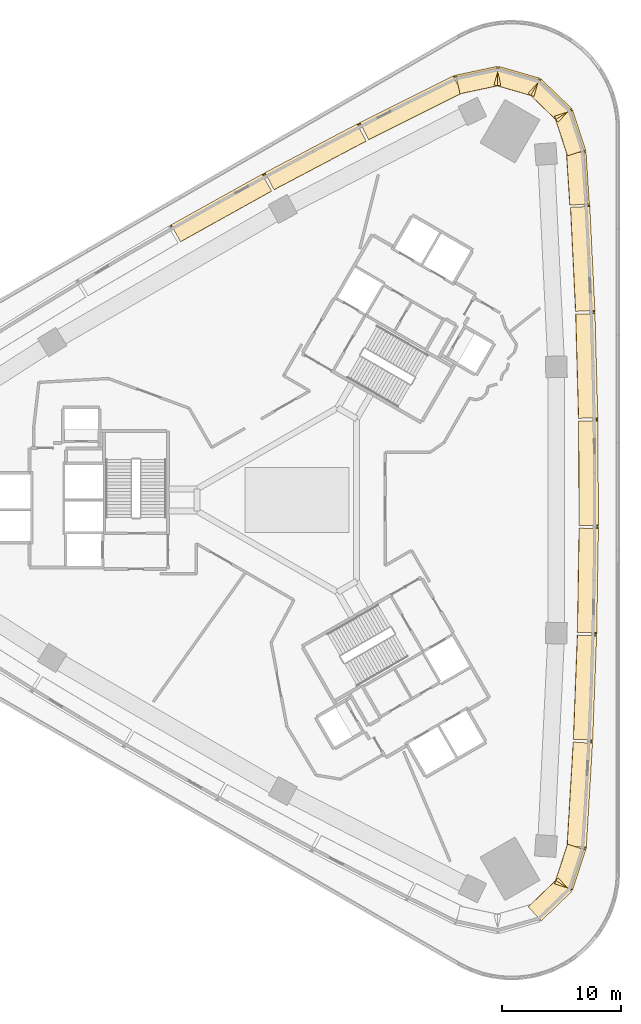
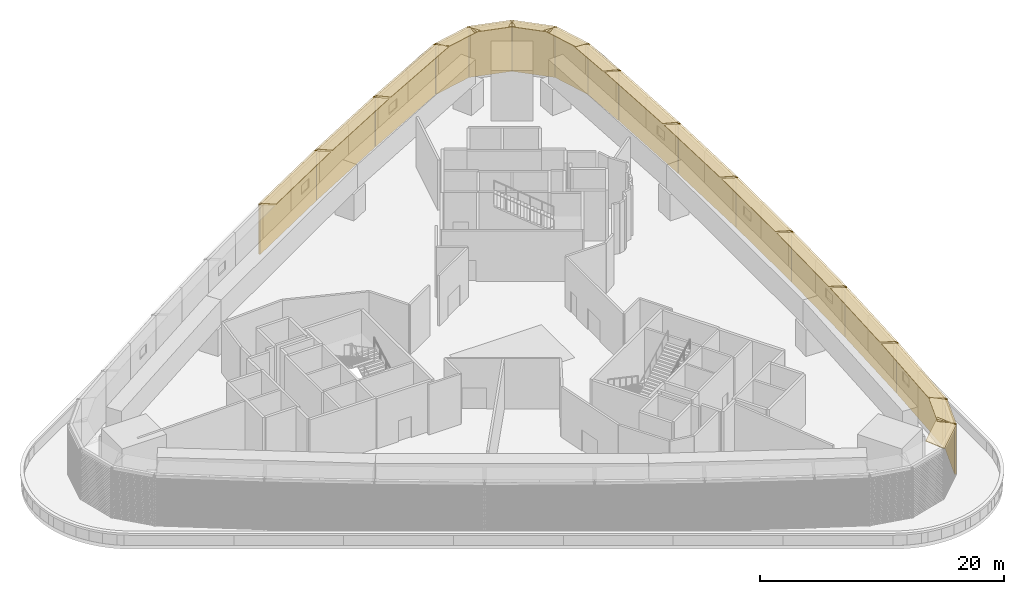
# One storey, part 11 of 11: 31 coverings.
"""IFC4 building model written with IfcOpenShell, lengths in metres."""

from ifc_helpers import new_model, si_unit, direction, frame, frame_2d, origin, place, context, subcontext, project, spatial, rectangle, extrude, source, transform, mapped, material, layer, layer_set, type_object, element, save


model = new_model("IFC4")

# Units and contexts
model_context = context("Model", 3, precision=1e-05, world=origin(), true_north=direction((0.0, 1.0)))
body_context = subcontext(model_context, "Body", "Model", "MODEL_VIEW")
ifc_project = project(units=[si_unit("LENGTHUNIT", "METRE"), si_unit("AREAUNIT", "SQUARE_METRE"), si_unit("VOLUMEUNIT", "CUBIC_METRE"), si_unit("PLANEANGLEUNIT", "RADIAN"), si_unit("MASSUNIT", "GRAM", prefix="KILO")], contexts=[model_context])

# Site, building, storey
site_placement = place(None, origin())
site = spatial("IfcSite", under=ifc_project, at=site_placement, CompositionType="ELEMENT")
building_placement = place(site_placement, origin())
building = spatial("IfcBuilding", under=site, at=building_placement, Name="Tamra Quay Hotel Tower", CompositionType="ELEMENT")
storey_placement = place(building_placement, frame((0.0, 0.0, 29.5)))
storey = spatial("IfcBuildingStorey", under=building, at=storey_placement, Name="L05", CompositionType="ELEMENT", Elevation=29.5)

# Coverings
ifc_material_1 = material(Name="Terracotta louvre panel", Category="masonry")
covering_type_1 = type_object("IfcCoveringType", Name="PLANT LOUVRE H5025", PredefinedType="USERDEFINED", material=ifc_material_1)
shared_shape_1 = source(origin(), body_context, "Body", "SweptSolid", [
    extrude(rectangle(XDim=8.97998046875, YDim=0.030029296875, at=frame_2d((4.489990234375, 0.01513671875))), frame((-4.489990234375, -0.030029296875, 0.0)), (0.0, 0.0, 1.0), 5.02490234375),
    extrude(rectangle(XDim=0.050048828125, YDim=0.139892578125, at=frame_2d((0.02490234375, 0.06982421875))), frame((-4.489990234375, -0.169921875, 0.0)), (0.0, 0.0, 1.0), 5.02490234375),
    extrude(rectangle(XDim=0.050048828125, YDim=0.139892578125, at=frame_2d((0.02490234375, 0.06982421875))), frame((4.43994140625, -0.169921875, 0.0)), (0.0, 0.0, 1.0), 5.02490234375),
    extrude(rectangle(XDim=8.8798828125, YDim=0.139892578125, at=frame_2d((4.43994140625, 0.06982421875))), frame((-4.43994140625, -0.169921875, 0.050048828125)), (0.0, 0.0, 1.0), 0.034912109375),
    extrude(rectangle(XDim=8.8798828125, YDim=0.139892578125, at=frame_2d((4.43994140625, 0.06982421875))), frame((-4.43994140625, -0.169921875, 0.2099609375)), (0.0, 0.0, 1.0), 0.034912109375),
    extrude(rectangle(XDim=8.8798828125, YDim=0.139892578125, at=frame_2d((4.43994140625, 0.06982421875))), frame((-4.43994140625, -0.169921875, 0.3701171875)), (0.0, 0.0, 1.0), 0.034912109375),
    extrude(rectangle(XDim=8.8798828125, YDim=0.139892578125, at=frame_2d((4.43994140625, 0.06982421875))), frame((-4.43994140625, -0.169921875, 0.530029296875)), (0.0, 0.0, 1.0), 0.034912109375),
    extrude(rectangle(XDim=8.8798828125, YDim=0.139892578125, at=frame_2d((4.43994140625, 0.06982421875))), frame((-4.43994140625, -0.169921875, 0.68994140625)), (0.0, 0.0, 1.0), 0.034912109375),
    extrude(rectangle(XDim=8.8798828125, YDim=0.139892578125, at=frame_2d((4.43994140625, 0.06982421875))), frame((-4.43994140625, -0.169921875, 0.85009765625)), (0.0, 0.0, 1.0), 0.034912109375),
    extrude(rectangle(XDim=8.8798828125, YDim=0.139892578125, at=frame_2d((4.43994140625, 0.06982421875))), frame((-4.43994140625, -0.169921875, 1.010009765625)), (0.0, 0.0, 1.0), 0.034912109375),
    extrude(rectangle(XDim=8.8798828125, YDim=0.139892578125, at=frame_2d((4.43994140625, 0.06982421875))), frame((-4.43994140625, -0.169921875, 1.169921875)), (0.0, 0.0, 1.0), 0.034912109375),
    extrude(rectangle(XDim=8.8798828125, YDim=0.139892578125, at=frame_2d((4.43994140625, 0.06982421875))), frame((-4.43994140625, -0.169921875, 1.330078125)), (0.0, 0.0, 1.0), 0.034912109375),
    extrude(rectangle(XDim=8.8798828125, YDim=0.139892578125, at=frame_2d((4.43994140625, 0.06982421875))), frame((-4.43994140625, -0.169921875, 1.489990234375)), (0.0, 0.0, 1.0), 0.034912109375),
    extrude(rectangle(XDim=8.8798828125, YDim=0.139892578125, at=frame_2d((4.43994140625, 0.06982421875))), frame((-4.43994140625, -0.169921875, 1.64990234375)), (0.0, 0.0, 1.0), 0.034912109375),
    extrude(rectangle(XDim=8.8798828125, YDim=0.139892578125, at=frame_2d((4.43994140625, 0.06982421875))), frame((-4.43994140625, -0.169921875, 1.81005859375)), (0.0, 0.0, 1.0), 0.034912109375),
    extrude(rectangle(XDim=8.8798828125, YDim=0.139892578125, at=frame_2d((4.43994140625, 0.06982421875))), frame((-4.43994140625, -0.169921875, 1.969970703125)), (0.0, 0.0, 1.0), 0.034912109375),
    extrude(rectangle(XDim=8.8798828125, YDim=0.139892578125, at=frame_2d((4.43994140625, 0.06982421875))), frame((-4.43994140625, -0.169921875, 2.1298828125)), (0.0, 0.0, 1.0), 0.034912109375),
    extrude(rectangle(XDim=8.8798828125, YDim=0.139892578125, at=frame_2d((4.43994140625, 0.06982421875))), frame((-4.43994140625, -0.169921875, 2.2900390625)), (0.0, 0.0, 1.0), 0.034912109375),
    extrude(rectangle(XDim=8.8798828125, YDim=0.139892578125, at=frame_2d((4.43994140625, 0.06982421875))), frame((-4.43994140625, -0.169921875, 2.449951171875)), (0.0, 0.0, 1.0), 0.034912109375),
    extrude(rectangle(XDim=8.8798828125, YDim=0.139892578125, at=frame_2d((4.43994140625, 0.06982421875))), frame((-4.43994140625, -0.169921875, 2.610107421875)), (0.0, 0.0, 1.0), 0.034912109375),
    extrude(rectangle(XDim=8.8798828125, YDim=0.139892578125, at=frame_2d((4.43994140625, 0.06982421875))), frame((-4.43994140625, -0.169921875, 2.77001953125)), (0.0, 0.0, 1.0), 0.034912109375),
    extrude(rectangle(XDim=8.8798828125, YDim=0.139892578125, at=frame_2d((4.43994140625, 0.06982421875))), frame((-4.43994140625, -0.169921875, 2.929931640625)), (0.0, 0.0, 1.0), 0.034912109375),
    extrude(rectangle(XDim=8.8798828125, YDim=0.139892578125, at=frame_2d((4.43994140625, 0.06982421875))), frame((-4.43994140625, -0.169921875, 3.090087890625)), (0.0, 0.0, 1.0), 0.034912109375),
    extrude(rectangle(XDim=8.8798828125, YDim=0.139892578125, at=frame_2d((4.43994140625, 0.06982421875))), frame((-4.43994140625, -0.169921875, 3.25)), (0.0, 0.0, 1.0), 0.034912109375),
    extrude(rectangle(XDim=8.8798828125, YDim=0.139892578125, at=frame_2d((4.43994140625, 0.06982421875))), frame((-4.43994140625, -0.169921875, 3.409912109375)), (0.0, 0.0, 1.0), 0.034912109375),
    extrude(rectangle(XDim=8.8798828125, YDim=0.139892578125, at=frame_2d((4.43994140625, 0.06982421875))), frame((-4.43994140625, -0.169921875, 3.570068359375)), (0.0, 0.0, 1.0), 0.034912109375),
    extrude(rectangle(XDim=8.8798828125, YDim=0.139892578125, at=frame_2d((4.43994140625, 0.06982421875))), frame((-4.43994140625, -0.169921875, 3.72998046875)), (0.0, 0.0, 1.0), 0.034912109375),
    extrude(rectangle(XDim=8.8798828125, YDim=0.139892578125, at=frame_2d((4.43994140625, 0.06982421875))), frame((-4.43994140625, -0.169921875, 3.889892578125)), (0.0, 0.0, 1.0), 0.034912109375),
    extrude(rectangle(XDim=8.8798828125, YDim=0.139892578125, at=frame_2d((4.43994140625, 0.06982421875))), frame((-4.43994140625, -0.169921875, 4.050048828125)), (0.0, 0.0, 1.0), 0.034912109375),
    extrude(rectangle(XDim=8.8798828125, YDim=0.139892578125, at=frame_2d((4.43994140625, 0.06982421875))), frame((-4.43994140625, -0.169921875, 4.2099609375)), (0.0, 0.0, 1.0), 0.034912109375),
    extrude(rectangle(XDim=8.8798828125, YDim=0.139892578125, at=frame_2d((4.43994140625, 0.06982421875))), frame((-4.43994140625, -0.169921875, 4.3701171875)), (0.0, 0.0, 1.0), 0.034912109375),
    extrude(rectangle(XDim=8.8798828125, YDim=0.139892578125, at=frame_2d((4.43994140625, 0.06982421875))), frame((-4.43994140625, -0.169921875, 4.530029296875)), (0.0, 0.0, 1.0), 0.034912109375),
    extrude(rectangle(XDim=8.8798828125, YDim=0.139892578125, at=frame_2d((4.43994140625, 0.06982421875))), frame((-4.43994140625, -0.169921875, 4.68994140625)), (0.0, 0.0, 1.0), 0.034912109375),
])
for number, where, z_axis, x_axis, name in (
    (1, (24.363037109375, -24.761962890625, 0.0), (0.0, 0.0, 1.0), (0.05943643102, 0.998232092586, 0.0), "Plant louvre L05.E.f00"),
    (2, (24.801513671875, -15.763671875, 0.0), (0.0, 0.0, 1.0), (0.037880563582, 0.999282273886, 0.0), "Plant louvre L05.E.f02"),
    (3, (25.04541015625, -6.75732421875, 0.0), (0.0, 0.0, 1.0), (0.016247883559, 0.999867994427, 0.0), "Plant louvre L05.E.f04"),
    (4, (25.09423828125, 2.252197265625, 0.0), (0.0, 0.0, 1.0), (-0.005417775167, 0.999985323748, 0.0), "Plant louvre L05.E.f06"),
    (5, (24.947998046875, 11.260498046875, 0.0), (0.0, 0.0, 1.0), (-0.027065152006, 0.999633671675, 0.0), "Plant louvre L05.E.f08"),
    (6, (24.606689453125, 20.2646484375, 0.0), (0.0, 0.0, 1.0), (-0.048675614115, 0.998814639756, 0.0), "Plant louvre L05.E.f10"),
    (7, (9.262939453125, 33.47998046875, 0.0), (0.0, 0.0, 1.0), (-0.894212566562, -0.44764258712, 0.0), "Plant louvre L05.NW.f00"),
    (8, (1.2509765625, 29.360595703125, 0.0), (0.0, 0.0, 1.0), (-0.884344116528, -0.466835606571, 0.0), "Plant louvre L05.NW.f02"),
    (9, (-6.670654296875, 25.068603515625, 0.0), (0.0, 0.0, 1.0), (-0.874035025385, -0.485862917294, 0.0), "Plant louvre L05.NW.f04"),
):
    element("IfcCovering", number, at=place(storey_placement, frame(where, z_axis=z_axis, x_axis=x_axis)), inside=storey, type_object=covering_type_1, Name=name, ObjectType="LOUVER", PredefinedType="USERDEFINED", context=body_context, shape_type="MappedRepresentation", body=[
        mapped(shared_shape_1, transform((0.0, 0.0, 0.0), scale=1.0)),
    ])
shared_shape_2 = source(origin(), body_context, "Body", "SweptSolid", [
    extrude(rectangle(XDim=4.47998046875, YDim=0.030029296875, at=frame_2d((2.239990234375, 0.01513671875))), frame((-2.239990234375, -0.030029296875, 0.0)), (0.0, 0.0, 1.0), 5.02490234375),
    extrude(rectangle(XDim=0.050048828125, YDim=0.139892578125, at=frame_2d((0.02490234375, 0.06982421875))), frame((-2.239990234375, -0.169921875, 0.0)), (0.0, 0.0, 1.0), 5.02490234375),
    extrude(rectangle(XDim=0.050048828125, YDim=0.139892578125, at=frame_2d((0.02490234375, 0.06982421875))), frame((2.18994140625, -0.169921875, 0.0)), (0.0, 0.0, 1.0), 5.02490234375),
    extrude(rectangle(XDim=4.3798828125, YDim=0.139892578125, at=frame_2d((2.18994140625, 0.06982421875))), frame((-2.18994140625, -0.169921875, 0.050048828125)), (0.0, 0.0, 1.0), 0.034912109375),
    extrude(rectangle(XDim=4.3798828125, YDim=0.139892578125, at=frame_2d((2.18994140625, 0.06982421875))), frame((-2.18994140625, -0.169921875, 0.2099609375)), (0.0, 0.0, 1.0), 0.034912109375),
    extrude(rectangle(XDim=4.3798828125, YDim=0.139892578125, at=frame_2d((2.18994140625, 0.06982421875))), frame((-2.18994140625, -0.169921875, 0.3701171875)), (0.0, 0.0, 1.0), 0.034912109375),
    extrude(rectangle(XDim=4.3798828125, YDim=0.139892578125, at=frame_2d((2.18994140625, 0.06982421875))), frame((-2.18994140625, -0.169921875, 0.530029296875)), (0.0, 0.0, 1.0), 0.034912109375),
    extrude(rectangle(XDim=4.3798828125, YDim=0.139892578125, at=frame_2d((2.18994140625, 0.06982421875))), frame((-2.18994140625, -0.169921875, 0.68994140625)), (0.0, 0.0, 1.0), 0.034912109375),
    extrude(rectangle(XDim=4.3798828125, YDim=0.139892578125, at=frame_2d((2.18994140625, 0.06982421875))), frame((-2.18994140625, -0.169921875, 0.85009765625)), (0.0, 0.0, 1.0), 0.034912109375),
    extrude(rectangle(XDim=4.3798828125, YDim=0.139892578125, at=frame_2d((2.18994140625, 0.06982421875))), frame((-2.18994140625, -0.169921875, 1.010009765625)), (0.0, 0.0, 1.0), 0.034912109375),
    extrude(rectangle(XDim=4.3798828125, YDim=0.139892578125, at=frame_2d((2.18994140625, 0.06982421875))), frame((-2.18994140625, -0.169921875, 1.169921875)), (0.0, 0.0, 1.0), 0.034912109375),
    extrude(rectangle(XDim=4.3798828125, YDim=0.139892578125, at=frame_2d((2.18994140625, 0.06982421875))), frame((-2.18994140625, -0.169921875, 1.330078125)), (0.0, 0.0, 1.0), 0.034912109375),
    extrude(rectangle(XDim=4.3798828125, YDim=0.139892578125, at=frame_2d((2.18994140625, 0.06982421875))), frame((-2.18994140625, -0.169921875, 1.489990234375)), (0.0, 0.0, 1.0), 0.034912109375),
    extrude(rectangle(XDim=4.3798828125, YDim=0.139892578125, at=frame_2d((2.18994140625, 0.06982421875))), frame((-2.18994140625, -0.169921875, 1.64990234375)), (0.0, 0.0, 1.0), 0.034912109375),
    extrude(rectangle(XDim=4.3798828125, YDim=0.139892578125, at=frame_2d((2.18994140625, 0.06982421875))), frame((-2.18994140625, -0.169921875, 1.81005859375)), (0.0, 0.0, 1.0), 0.034912109375),
    extrude(rectangle(XDim=4.3798828125, YDim=0.139892578125, at=frame_2d((2.18994140625, 0.06982421875))), frame((-2.18994140625, -0.169921875, 1.969970703125)), (0.0, 0.0, 1.0), 0.034912109375),
    extrude(rectangle(XDim=4.3798828125, YDim=0.139892578125, at=frame_2d((2.18994140625, 0.06982421875))), frame((-2.18994140625, -0.169921875, 2.1298828125)), (0.0, 0.0, 1.0), 0.034912109375),
    extrude(rectangle(XDim=4.3798828125, YDim=0.139892578125, at=frame_2d((2.18994140625, 0.06982421875))), frame((-2.18994140625, -0.169921875, 2.2900390625)), (0.0, 0.0, 1.0), 0.034912109375),
    extrude(rectangle(XDim=4.3798828125, YDim=0.139892578125, at=frame_2d((2.18994140625, 0.06982421875))), frame((-2.18994140625, -0.169921875, 2.449951171875)), (0.0, 0.0, 1.0), 0.034912109375),
    extrude(rectangle(XDim=4.3798828125, YDim=0.139892578125, at=frame_2d((2.18994140625, 0.06982421875))), frame((-2.18994140625, -0.169921875, 2.610107421875)), (0.0, 0.0, 1.0), 0.034912109375),
    extrude(rectangle(XDim=4.3798828125, YDim=0.139892578125, at=frame_2d((2.18994140625, 0.06982421875))), frame((-2.18994140625, -0.169921875, 2.77001953125)), (0.0, 0.0, 1.0), 0.034912109375),
    extrude(rectangle(XDim=4.3798828125, YDim=0.139892578125, at=frame_2d((2.18994140625, 0.06982421875))), frame((-2.18994140625, -0.169921875, 2.929931640625)), (0.0, 0.0, 1.0), 0.034912109375),
    extrude(rectangle(XDim=4.3798828125, YDim=0.139892578125, at=frame_2d((2.18994140625, 0.06982421875))), frame((-2.18994140625, -0.169921875, 3.090087890625)), (0.0, 0.0, 1.0), 0.034912109375),
    extrude(rectangle(XDim=4.3798828125, YDim=0.139892578125, at=frame_2d((2.18994140625, 0.06982421875))), frame((-2.18994140625, -0.169921875, 3.25)), (0.0, 0.0, 1.0), 0.034912109375),
    extrude(rectangle(XDim=4.3798828125, YDim=0.139892578125, at=frame_2d((2.18994140625, 0.06982421875))), frame((-2.18994140625, -0.169921875, 3.409912109375)), (0.0, 0.0, 1.0), 0.034912109375),
    extrude(rectangle(XDim=4.3798828125, YDim=0.139892578125, at=frame_2d((2.18994140625, 0.06982421875))), frame((-2.18994140625, -0.169921875, 3.570068359375)), (0.0, 0.0, 1.0), 0.034912109375),
    extrude(rectangle(XDim=4.3798828125, YDim=0.139892578125, at=frame_2d((2.18994140625, 0.06982421875))), frame((-2.18994140625, -0.169921875, 3.72998046875)), (0.0, 0.0, 1.0), 0.034912109375),
    extrude(rectangle(XDim=4.3798828125, YDim=0.139892578125, at=frame_2d((2.18994140625, 0.06982421875))), frame((-2.18994140625, -0.169921875, 3.889892578125)), (0.0, 0.0, 1.0), 0.034912109375),
    extrude(rectangle(XDim=4.3798828125, YDim=0.139892578125, at=frame_2d((2.18994140625, 0.06982421875))), frame((-2.18994140625, -0.169921875, 4.050048828125)), (0.0, 0.0, 1.0), 0.034912109375),
    extrude(rectangle(XDim=4.3798828125, YDim=0.139892578125, at=frame_2d((2.18994140625, 0.06982421875))), frame((-2.18994140625, -0.169921875, 4.2099609375)), (0.0, 0.0, 1.0), 0.034912109375),
    extrude(rectangle(XDim=4.3798828125, YDim=0.139892578125, at=frame_2d((2.18994140625, 0.06982421875))), frame((-2.18994140625, -0.169921875, 4.3701171875)), (0.0, 0.0, 1.0), 0.034912109375),
    extrude(rectangle(XDim=4.3798828125, YDim=0.139892578125, at=frame_2d((2.18994140625, 0.06982421875))), frame((-2.18994140625, -0.169921875, 4.530029296875)), (0.0, 0.0, 1.0), 0.034912109375),
    extrude(rectangle(XDim=4.3798828125, YDim=0.139892578125, at=frame_2d((2.18994140625, 0.06982421875))), frame((-2.18994140625, -0.169921875, 4.68994140625)), (0.0, 0.0, 1.0), 0.034912109375),
])
covering_1_placement = place(storey_placement, frame((24.217041015625, 27.01025390625, 0.0), z_axis=(0.0, 0.0, 1.0), x_axis=(-0.064813021819, 0.997897425692, 0.0)))
element("IfcCovering", 10, at=covering_1_placement, inside=storey, type_object=covering_type_1, Name="Plant louvre L05.E.f12", ObjectType="LOUVER", PredefinedType="USERDEFINED", context=body_context, shape_type="MappedRepresentation", body=[
    mapped(shared_shape_2, transform((0.0, 0.0, 0.0), scale=1.0)),
])
shared_shape_3 = source(origin(), body_context, "Body", "SweptSolid", [
    extrude(rectangle(XDim=3.60009765625, YDim=0.030029296875, at=frame_2d((1.800048828125, 0.01513671875))), frame((-1.800048828125, -0.030029296875, 0.0)), (0.0, 0.0, 1.0), 5.02490234375),
    extrude(rectangle(XDim=0.050048828125, YDim=0.139892578125, at=frame_2d((0.02490234375, 0.06982421875))), frame((-1.800048828125, -0.169921875, 0.0)), (0.0, 0.0, 1.0), 5.02490234375),
    extrude(rectangle(XDim=0.050048828125, YDim=0.139892578125, at=frame_2d((0.02490234375, 0.06982421875))), frame((1.75, -0.169921875, 0.0)), (0.0, 0.0, 1.0), 5.02490234375),
    extrude(rectangle(XDim=3.5, YDim=0.139892578125, at=frame_2d((1.75, 0.06982421875))), frame((-1.75, -0.169921875, 0.050048828125)), (0.0, 0.0, 1.0), 0.034912109375),
    extrude(rectangle(XDim=3.5, YDim=0.139892578125, at=frame_2d((1.75, 0.06982421875))), frame((-1.75, -0.169921875, 0.2099609375)), (0.0, 0.0, 1.0), 0.034912109375),
    extrude(rectangle(XDim=3.5, YDim=0.139892578125, at=frame_2d((1.75, 0.06982421875))), frame((-1.75, -0.169921875, 0.3701171875)), (0.0, 0.0, 1.0), 0.034912109375),
    extrude(rectangle(XDim=3.5, YDim=0.139892578125, at=frame_2d((1.75, 0.06982421875))), frame((-1.75, -0.169921875, 0.530029296875)), (0.0, 0.0, 1.0), 0.034912109375),
    extrude(rectangle(XDim=3.5, YDim=0.139892578125, at=frame_2d((1.75, 0.06982421875))), frame((-1.75, -0.169921875, 0.68994140625)), (0.0, 0.0, 1.0), 0.034912109375),
    extrude(rectangle(XDim=3.5, YDim=0.139892578125, at=frame_2d((1.75, 0.06982421875))), frame((-1.75, -0.169921875, 0.85009765625)), (0.0, 0.0, 1.0), 0.034912109375),
    extrude(rectangle(XDim=3.5, YDim=0.139892578125, at=frame_2d((1.75, 0.06982421875))), frame((-1.75, -0.169921875, 1.010009765625)), (0.0, 0.0, 1.0), 0.034912109375),
    extrude(rectangle(XDim=3.5, YDim=0.139892578125, at=frame_2d((1.75, 0.06982421875))), frame((-1.75, -0.169921875, 1.169921875)), (0.0, 0.0, 1.0), 0.034912109375),
    extrude(rectangle(XDim=3.5, YDim=0.139892578125, at=frame_2d((1.75, 0.06982421875))), frame((-1.75, -0.169921875, 1.330078125)), (0.0, 0.0, 1.0), 0.034912109375),
    extrude(rectangle(XDim=3.5, YDim=0.139892578125, at=frame_2d((1.75, 0.06982421875))), frame((-1.75, -0.169921875, 1.489990234375)), (0.0, 0.0, 1.0), 0.034912109375),
    extrude(rectangle(XDim=3.5, YDim=0.139892578125, at=frame_2d((1.75, 0.06982421875))), frame((-1.75, -0.169921875, 1.64990234375)), (0.0, 0.0, 1.0), 0.034912109375),
    extrude(rectangle(XDim=3.5, YDim=0.139892578125, at=frame_2d((1.75, 0.06982421875))), frame((-1.75, -0.169921875, 1.81005859375)), (0.0, 0.0, 1.0), 0.034912109375),
    extrude(rectangle(XDim=3.5, YDim=0.139892578125, at=frame_2d((1.75, 0.06982421875))), frame((-1.75, -0.169921875, 1.969970703125)), (0.0, 0.0, 1.0), 0.034912109375),
    extrude(rectangle(XDim=3.5, YDim=0.139892578125, at=frame_2d((1.75, 0.06982421875))), frame((-1.75, -0.169921875, 2.1298828125)), (0.0, 0.0, 1.0), 0.034912109375),
    extrude(rectangle(XDim=3.5, YDim=0.139892578125, at=frame_2d((1.75, 0.06982421875))), frame((-1.75, -0.169921875, 2.2900390625)), (0.0, 0.0, 1.0), 0.034912109375),
    extrude(rectangle(XDim=3.5, YDim=0.139892578125, at=frame_2d((1.75, 0.06982421875))), frame((-1.75, -0.169921875, 2.449951171875)), (0.0, 0.0, 1.0), 0.034912109375),
    extrude(rectangle(XDim=3.5, YDim=0.139892578125, at=frame_2d((1.75, 0.06982421875))), frame((-1.75, -0.169921875, 2.610107421875)), (0.0, 0.0, 1.0), 0.034912109375),
    extrude(rectangle(XDim=3.5, YDim=0.139892578125, at=frame_2d((1.75, 0.06982421875))), frame((-1.75, -0.169921875, 2.77001953125)), (0.0, 0.0, 1.0), 0.034912109375),
    extrude(rectangle(XDim=3.5, YDim=0.139892578125, at=frame_2d((1.75, 0.06982421875))), frame((-1.75, -0.169921875, 2.929931640625)), (0.0, 0.0, 1.0), 0.034912109375),
    extrude(rectangle(XDim=3.5, YDim=0.139892578125, at=frame_2d((1.75, 0.06982421875))), frame((-1.75, -0.169921875, 3.090087890625)), (0.0, 0.0, 1.0), 0.034912109375),
    extrude(rectangle(XDim=3.5, YDim=0.139892578125, at=frame_2d((1.75, 0.06982421875))), frame((-1.75, -0.169921875, 3.25)), (0.0, 0.0, 1.0), 0.034912109375),
    extrude(rectangle(XDim=3.5, YDim=0.139892578125, at=frame_2d((1.75, 0.06982421875))), frame((-1.75, -0.169921875, 3.409912109375)), (0.0, 0.0, 1.0), 0.034912109375),
    extrude(rectangle(XDim=3.5, YDim=0.139892578125, at=frame_2d((1.75, 0.06982421875))), frame((-1.75, -0.169921875, 3.570068359375)), (0.0, 0.0, 1.0), 0.034912109375),
    extrude(rectangle(XDim=3.5, YDim=0.139892578125, at=frame_2d((1.75, 0.06982421875))), frame((-1.75, -0.169921875, 3.72998046875)), (0.0, 0.0, 1.0), 0.034912109375),
    extrude(rectangle(XDim=3.5, YDim=0.139892578125, at=frame_2d((1.75, 0.06982421875))), frame((-1.75, -0.169921875, 3.889892578125)), (0.0, 0.0, 1.0), 0.034912109375),
    extrude(rectangle(XDim=3.5, YDim=0.139892578125, at=frame_2d((1.75, 0.06982421875))), frame((-1.75, -0.169921875, 4.050048828125)), (0.0, 0.0, 1.0), 0.034912109375),
    extrude(rectangle(XDim=3.5, YDim=0.139892578125, at=frame_2d((1.75, 0.06982421875))), frame((-1.75, -0.169921875, 4.2099609375)), (0.0, 0.0, 1.0), 0.034912109375),
    extrude(rectangle(XDim=3.5, YDim=0.139892578125, at=frame_2d((1.75, 0.06982421875))), frame((-1.75, -0.169921875, 4.3701171875)), (0.0, 0.0, 1.0), 0.034912109375),
    extrude(rectangle(XDim=3.5, YDim=0.139892578125, at=frame_2d((1.75, 0.06982421875))), frame((-1.75, -0.169921875, 4.530029296875)), (0.0, 0.0, 1.0), 0.034912109375),
    extrude(rectangle(XDim=3.5, YDim=0.139892578125, at=frame_2d((1.75, 0.06982421875))), frame((-1.75, -0.169921875, 4.68994140625)), (0.0, 0.0, 1.0), 0.034912109375),
])
for number, where, z_axis, x_axis, name in (
    (11, (23.510498046875, 30.982666015625, 0.0), (0.0, 0.0, 1.0), (-0.309040551826, 0.951048861693, 0.0), "Plant louvre L05.E.c00"),
    (12, (21.64453125, 33.968505859375, 0.0), (0.0, 0.0, 1.0), (-0.719345535851, 0.694652431113, 0.0), "Plant louvre L05.E.c01"),
    (13, (18.595458984375, 35.72900390625, 0.0), (0.0, 0.0, 1.0), (-0.96125942007, 0.275645292589, 0.0), "Plant louvre L05.E.c02"),
    (14, (15.07666015625, 35.85205078125, 0.0), (0.0, 0.0, 1.0), (-0.978152750379, -0.207887462165, 0.0), "Plant louvre L05.E.c03"),
    (15, (23.510498046875, -30.982666015625, 0.0), (0.0, 0.0, 1.0), (0.309040551826, 0.951048861693, 0.0), "Plant louvre L05.SW.c03"),
):
    element("IfcCovering", number, at=place(storey_placement, frame(where, z_axis=z_axis, x_axis=x_axis)), inside=storey, type_object=covering_type_1, Name=name, ObjectType="LOUVER", PredefinedType="USERDEFINED", context=body_context, shape_type="MappedRepresentation", body=[
        mapped(shared_shape_3, transform((0.0, 0.0, 0.0), scale=1.0)),
    ])
ifc_material_2 = material(Name="Precast concrete M60 terracotta-coloured pierced relief", Category="masonry")
ifc_layer = layer(ifc_material_2, 0.06005859375)
ifc_layer_set = layer_set([ifc_layer], Name="RAKED RELIEF CAP 60")
covering_type_2 = type_object("IfcCoveringType", Name="RAKED RELIEF CAP 60", PredefinedType="CLADDING", material=ifc_layer_set)
shared_shape_4 = source(origin(), body_context, "Body", "SweptSolid", [
    extrude(rectangle(XDim=8.739990234375, YDim=1.68994140625, at=frame_2d((4.3701171875, 0.844970703125))), frame((-4.3701171875, 0.0, -0.06005859375)), (0.0, 0.0, 1.0), 0.06005859375),
])
for number, where, z_axis, x_axis, name in (
    (16, (24.53271484375, -24.77197265625, 5.02490234375), (0.280588543156, -0.01670671752, 0.959682736658), (0.05943643102, 0.998232092586, 0.0), "Raked relief cap L05.1"),
    (17, (24.971435546875, -15.77001953125, 5.02490234375), (0.280900471426, -0.010648310739, 0.959677830645), (0.037880563582, 0.999282273886, 0.0), "Raked relief cap L05.3"),
    (18, (25.21533203125, -6.760009765625, 5.02490234375), (0.281065118773, -0.004567316234, 0.959677830645), (0.016247883559, 0.999867994427, 0.0), "Raked relief cap L05.5"),
    (19, (25.264404296875, 2.253173828125, 5.02490234375), (0.281098100307, 0.001522948658, 0.959677830645), (-0.005417775167, 0.999985323748, 0.0), "Raked relief cap L05.7"),
    (20, (25.117919921875, 11.26513671875, 5.02490234375), (0.280999250126, 0.007608074471, 0.959677830645), (-0.027065152006, 0.999633671675, 0.0), "Raked relief cap L05.9"),
    (21, (24.7763671875, 20.27294921875, 5.02490234375), (0.280752288704, 0.013682008175, 0.959682736658), (-0.048675614115, 0.998814639756, 0.0), "Raked relief cap L05.11"),
    (22, (9.186767578125, 33.632080078125, 5.02490234375), (-0.125825829792, 0.251350165143, 0.959682736658), (-0.894212566562, -0.44764258712, 0.0), "Raked relief cap L05.1"),
    (23, (1.17138671875, 29.510986328125, 5.02490234375), (-0.131228528106, 0.248591099559, 0.959677830645), (-0.884344116528, -0.466835606571, 0.0), "Raked relief cap L05.3"),
    (24, (-6.75341796875, 25.21728515625, 5.02490234375), (-0.136577147501, 0.245693191092, 0.959677830645), (-0.874035025385, -0.485862917294, 0.0), "Raked relief cap L05.5"),
):
    element("IfcCovering", number, at=place(storey_placement, frame(where, z_axis=z_axis, x_axis=x_axis)), inside=storey, type_object=covering_type_2, Name=name, PredefinedType="CLADDING", context=body_context, shape_type="MappedRepresentation", body=[
        mapped(shared_shape_4, transform((0.0, 0.0, 0.0), scale=1.0)),
    ])
shared_shape_5 = source(origin(), body_context, "Body", "SweptSolid", [
    extrude(rectangle(XDim=4.360107421875, YDim=1.712890625, at=frame_2d((2.18017578125, 0.8564453125))), frame((-2.179931640625, 0.0, -0.06005859375)), (0.0, 0.0, 1.0), 0.06005859375),
])
covering_2_placement = place(storey_placement, frame((24.38671875, 27.021484375, 5.02490234375), z_axis=(0.276681377752, 0.017970340149, 0.960793673002), x_axis=(-0.064813021819, 0.997897425692, 0.0)))
element("IfcCovering", 25, at=covering_2_placement, inside=storey, type_object=covering_type_2, Name="Raked relief cap L05.13", PredefinedType="CLADDING", context=body_context, shape_type="MappedRepresentation", body=[
    mapped(shared_shape_5, transform((0.0, 0.0, 0.0), scale=1.0)),
])
shared_shape_6 = source(origin(), body_context, "Body", "SweptSolid", [
    extrude(rectangle(XDim=3.5, YDim=1.6708984375, at=frame_2d((1.75, 0.83544921875))), frame((-1.75, 0.0, -0.06005859375)), (0.0, 0.0, 1.0), 0.06005859375),
])
for number, where, z_axis, x_axis, name in (
    (26, (23.672119140625, 31.03515625, 5.02490234375), (0.270335277615, 0.087844659446, 0.958750308205), (-0.309040551826, 0.951048861693, 0.0), "Raked relief cap L05.1"),
    (27, (21.7626953125, 34.0908203125, 5.02490234375), (0.197454689633, 0.204473695273, 0.958750308205), (-0.719345535851, 0.694652431113, 0.0), "Raked relief cap L05.2"),
    (28, (18.642333984375, 35.892578125, 5.02490234375), (0.078352069696, 0.273237624955, 0.958750308205), (-0.96125942007, 0.275645292589, 0.0), "Raked relief cap L05.3"),
    (29, (15.041259765625, 36.018310546875, 5.02490234375), (-0.05909193214, 0.278039547677, 0.958750308205), (-0.978152750379, -0.207887462165, 0.0), "Raked relief cap L05.4"),
    (30, (21.7626953125, -34.0908203125, 5.02490234375), (0.197454689633, -0.204473695273, 0.958750308205), (0.719345535851, 0.694652431113, 0.0), "Raked relief cap L05.3"),
    (31, (23.672119140625, -31.03515625, 5.02490234375), (0.270335277615, -0.087844659446, 0.958750308205), (0.309040551826, 0.951048861693, 0.0), "Raked relief cap L05.4"),
):
    element("IfcCovering", number, at=place(storey_placement, frame(where, z_axis=z_axis, x_axis=x_axis)), inside=storey, type_object=covering_type_2, Name=name, PredefinedType="CLADDING", context=body_context, shape_type="MappedRepresentation", body=[
        mapped(shared_shape_6, transform((0.0, 0.0, 0.0), scale=1.0)),
    ])

save(model, "model.ifc")
